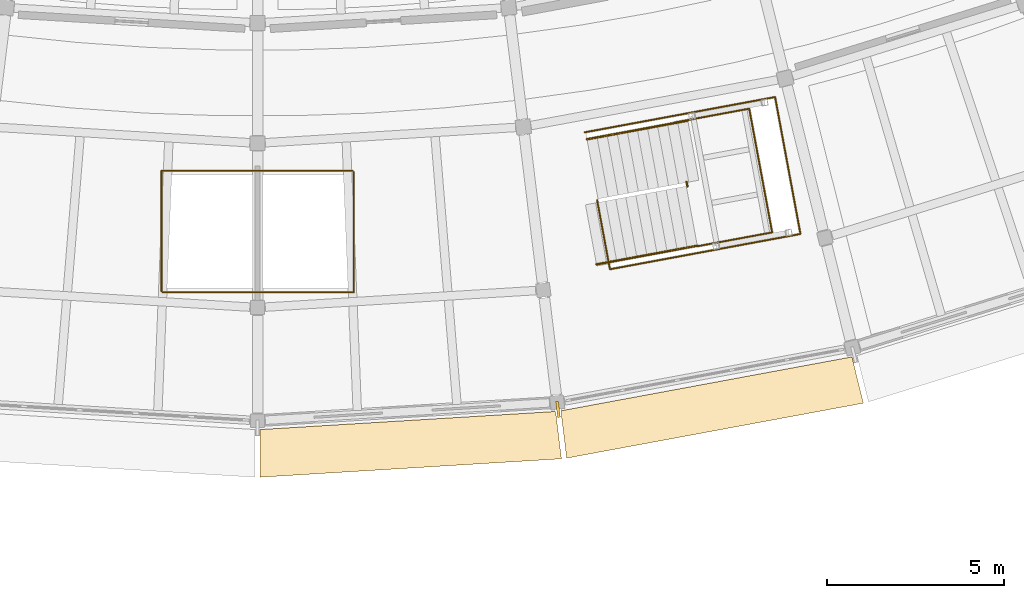
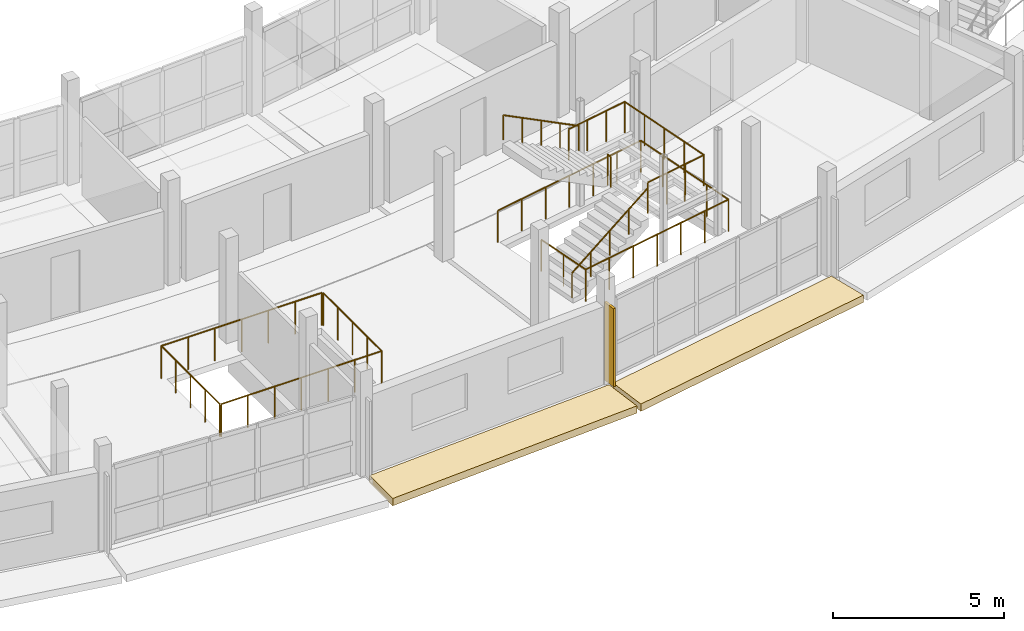
# One storey, part 70 of 77: 7 railings, 2 coverings, 1 shading device.
"""IFC4 building model written with IfcOpenShell, lengths in metres."""

from ifc_helpers import new_model, si_unit, direction, frame, origin, origin_2d, place, context, subcontext, project, spatial, polyline, rectangle, circle, outline, extrude, material, layer, layer_set, type_object, element, save


model = new_model("IFC4")

# Units and contexts
model_context = context("Model", 3, precision=1e-05, world=origin(), true_north=direction((0.0, 1.0)))
body_context = subcontext(model_context, "Body", "Model", "MODEL_VIEW")
ifc_project = project(units=[si_unit("LENGTHUNIT", "METRE"), si_unit("AREAUNIT", "SQUARE_METRE"), si_unit("VOLUMEUNIT", "CUBIC_METRE"), si_unit("PLANEANGLEUNIT", "RADIAN"), si_unit("MASSUNIT", "GRAM", prefix="KILO")], contexts=[model_context])

# Site, building, storey
site_placement = place(None, origin())
site = spatial("IfcSite", under=ifc_project, at=site_placement, CompositionType="ELEMENT")
building_placement = place(site_placement, origin())
building = spatial("IfcBuilding", under=site, at=building_placement, Name="Caldaven Crescent School", CompositionType="ELEMENT")
storey_placement = place(building_placement, frame((0.0, 0.0, 4.419921875)))
storey = spatial("IfcBuildingStorey", under=building, at=storey_placement, Name="L01", CompositionType="ELEMENT", Elevation=4.419921875)

# Coverings
ifc_material_1 = material(Name="White architectural GFRC precast concrete C35/45 cladding", Category="concrete")
ifc_layer_1 = layer(ifc_material_1, 0.260009765625)
ifc_layer_set_1 = layer_set([ifc_layer_1], Name="White architectural GFRC precast concrete C35/45 cladding")
covering_type = type_object("IfcCoveringType", Name="COV-CLD1", PredefinedType="CLADDING", material=ifc_layer_set_1)
covering_1_placement = place(storey_placement, frame((0.0, 0.0, -0.260009765625)))
element("IfcCovering", 1, at=covering_1_placement, inside=storey, type_object=covering_type, Name="CLD-OUT-L01-018", PredefinedType="CLADDING", context=body_context, shape_type="SweptSolid", body=[
    extrude(outline(polyline([(88.072998046875, 26.199951171875), (96.433837890625, 26.71142578125), (96.59716796875, 25.371337890625), (88.074462890625, 24.85009765625), (88.072998046875, 26.199951171875)])), origin(), (0.0, 0.0, 1.0), 0.260009765625),
])
covering_2_placement = place(storey_placement, frame((0.0, 0.0, -0.260009765625)))
element("IfcCovering", 2, at=covering_2_placement, inside=storey, type_object=covering_type, Name="CLD-OUT-L01-020", PredefinedType="CLADDING", context=body_context, shape_type="SweptSolid", body=[
    extrude(outline(polyline([(96.5791015625, 26.729248046875), (104.815185546875, 28.255615234375), (105.140380859375, 26.945556640625), (96.744873046875, 25.389404296875), (96.5791015625, 26.729248046875)])), origin(), (0.0, 0.0, 1.0), 0.260009765625),
])

# Railings
ifc_material_2 = material(Name="Brushed stainless-steel continuous tubular handrail", Category="steel")
railing_type_1 = type_object("IfcRailingType", Name="RAL-HR2", PredefinedType="HANDRAIL", material=ifc_material_2)
railing_1_placement = place(storey_placement, frame((97.589111328125, 30.871826171875, 0.173095703125)))
element("IfcRailing", 3, at=railing_1_placement, inside=storey, type_object=railing_type_1, Name="HR-ST3-L01-F1", PredefinedType="HANDRAIL", context=body_context, shape_type="SweptSolid", body=[
    extrude(circle(Radius=0.02392578125, at=origin_2d()), frame((0.0, 0.0, 0.8759765625), z_axis=(0.848265297383, 0.157234106921, 0.50569103302), x_axis=(-0.18225505464, 0.98325128785, 0.0)), (0.0, 0.0, 1.0), 3.361572265625),
    extrude(circle(Radius=0.02099609375, at=origin_2d()), origin(), (0.0, 0.0, 1.0), 0.851806640625),
    extrude(circle(Radius=0.02099609375, at=origin_2d()), frame((0.712890625, 0.132080078125, 0.425048828125)), (0.0, 0.0, 1.0), 0.851806640625),
    extrude(circle(Radius=0.02099609375, at=origin_2d()), frame((1.42578125, 0.26416015625, 0.85009765625)), (0.0, 0.0, 1.0), 0.851806640625),
    extrude(circle(Radius=0.02099609375, at=origin_2d()), frame((2.138671875, 0.396484375, 1.27490234375)), (0.0, 0.0, 1.0), 0.851806640625),
    extrude(circle(Radius=0.02099609375, at=origin_2d()), frame((2.8515625, 0.528564453125, 1.699951171875)), (0.0, 0.0, 1.0), 0.851806640625),
])
railing_2_placement = place(storey_placement, frame((100.1708984375, 34.9404296875, 2.04296875)))
element("IfcRailing", 4, at=railing_2_placement, inside=storey, type_object=railing_type_1, Name="HR-ST3-L01-F2", PredefinedType="HANDRAIL", context=body_context, shape_type="SweptSolid", body=[
    extrude(circle(Radius=0.02392578125, at=origin_2d()), frame((0.0, 0.0, 0.8759765625), z_axis=(-0.848223455279, -0.157167185309, 0.50578201409), x_axis=(0.182188747239, -0.98326357625, 0.0)), (0.0, 0.0, 1.0), 3.361572265625),
    extrude(circle(Radius=0.02099609375, at=origin_2d()), origin(), (0.0, 0.0, 1.0), 0.851806640625),
    extrude(circle(Radius=0.02099609375, at=origin_2d()), frame((-0.712890625, -0.132080078125, 0.425048828125)), (0.0, 0.0, 1.0), 0.851806640625),
    extrude(circle(Radius=0.02099609375, at=origin_2d()), frame((-1.42578125, -0.26416015625, 0.85009765625)), (0.0, 0.0, 1.0), 0.851806640625),
    extrude(circle(Radius=0.02099609375, at=origin_2d()), frame((-2.138427734375, -0.396240234375, 1.275146484375)), (0.0, 0.0, 1.0), 0.851806640625),
    extrude(circle(Radius=0.02099609375, at=origin_2d()), frame((-2.851318359375, -0.5283203125, 1.7001953125)), (0.0, 0.0, 1.0), 0.851806640625),
])
ifc_material_3 = material(Name="Powder-coated tubular steel balustrade ASTM A572 Grade 50", Category="steel")
railing_type_2 = type_object("IfcRailingType", Name="RAL-INT2", PredefinedType="BALUSTRADE", material=ifc_material_3)
railing_3_placement = place(storey_placement, frame((100.443359375, 31.3857421875, 1.8701171875)))
element("IfcRailing", 5, at=railing_3_placement, inside=storey, type_object=railing_type_2, Name="GD-LND-ST3-L01", PredefinedType="BALUSTRADE", context=body_context, shape_type="SweptSolid", body=[
    extrude(circle(Radius=0.02392578125, at=origin_2d()), frame((0.0, 0.0, 1.09619140625), z_axis=(0.983272214345, 0.182142121701, 0.0), x_axis=(-0.182142121701, 0.983272214345, 0.0)), (0.0, 0.0, 1.0), 2.14990234375),
    extrude(circle(Radius=0.02392578125, at=origin_2d()), frame((2.114013671875, 0.3916015625, 1.09619140625), z_axis=(-0.182209587226, 0.983259714584, 0.0), x_axis=(-0.983259714584, -0.182209587226, 0.0)), (0.0, 0.0, 1.0), 3.56005859375),
    extrude(circle(Radius=0.02392578125, at=origin_2d()), frame((1.46533203125, 3.89208984375, 1.09619140625), z_axis=(-0.983251871482, -0.182251905962, 0.0), x_axis=(0.182251905962, -0.983251871482, 0.0)), (0.0, 0.0, 1.0), 2.14990234375),
    extrude(circle(Radius=0.02099609375, at=origin_2d()), origin(), (0.0, 0.0, 1.0), 1.072021484375),
    extrude(circle(Radius=0.02099609375, at=origin_2d()), frame((0.70458984375, 0.130615234375, 0.0)), (0.0, 0.0, 1.0), 1.072021484375),
    extrude(circle(Radius=0.02099609375, at=origin_2d()), frame((1.409423828125, 0.260986328125, 0.0)), (0.0, 0.0, 1.0), 1.072021484375),
    extrude(circle(Radius=0.02099609375, at=origin_2d()), frame((2.114013671875, 0.3916015625, 0.0)), (0.0, 0.0, 1.0), 1.072021484375),
    extrude(circle(Radius=0.02099609375, at=origin_2d()), frame((1.951904296875, 1.2666015625, 0.0)), (0.0, 0.0, 1.0), 1.072021484375),
    extrude(circle(Radius=0.02099609375, at=origin_2d()), frame((1.78955078125, 2.141845703125, 0.0)), (0.0, 0.0, 1.0), 1.072021484375),
    extrude(circle(Radius=0.02099609375, at=origin_2d()), frame((1.62744140625, 3.01708984375, 0.0)), (0.0, 0.0, 1.0), 1.072021484375),
    extrude(circle(Radius=0.02099609375, at=origin_2d()), frame((1.46533203125, 3.89208984375, 0.0)), (0.0, 0.0, 1.0), 1.072021484375),
    extrude(circle(Radius=0.02099609375, at=origin_2d()), frame((0.7607421875, 3.761474609375, 0.0)), (0.0, 0.0, 1.0), 1.072021484375),
    extrude(circle(Radius=0.02099609375, at=origin_2d()), frame((0.055908203125, 3.630859375, 0.0)), (0.0, 0.0, 1.0), 1.072021484375),
    extrude(circle(Radius=0.02099609375, at=origin_2d()), frame((-0.648681640625, 3.500244140625, 0.0)), (0.0, 0.0, 1.0), 1.072021484375),
])
railing_4_placement = place(storey_placement, frame((100.161376953125, 33.072509765625, 1.8701171875)))
element("IfcRailing", 6, at=railing_4_placement, inside=storey, type_object=railing_type_2, Name="GD-SLT-ST3-L01", PredefinedType="BALUSTRADE", context=body_context, shape_type="SweptSolid", body=[
    extrude(circle(Radius=0.02392578125, at=origin_2d()), frame((0.0, 0.0, 1.09619140625), z_axis=(-0.183025457922, 0.983108173983, 0.0), x_axis=(-0.983108173983, -0.183025457922, 0.0)), (0.0, 0.0, 1.0), 0.14013671875),
    extrude(circle(Radius=0.02099609375, at=origin_2d()), origin(), (0.0, 0.0, 1.0), 1.072021484375),
    extrude(circle(Radius=0.02099609375, at=origin_2d()), frame((-0.025634765625, 0.1376953125, 0.0)), (0.0, 0.0, 1.0), 1.072021484375),
])
railing_type_3 = type_object("IfcRailingType", Name="RAL-INT3", PredefinedType="BALUSTRADE", material=ifc_material_3)
railing_5_placement = place(storey_placement, frame((97.606201171875, 32.6904296875, 0.0)))
element("IfcRailing", 7, at=railing_5_placement, inside=storey, type_object=railing_type_3, Name="GD-WELL-ST3-L01", PredefinedType="BALUSTRADE", context=body_context, shape_type="SweptSolid", body=[
    extrude(circle(Radius=0.02392578125, at=origin_2d()), frame((0.0, 0.0, 1.1259765625), z_axis=(0.182199096939, -0.983261658499, 0.0), x_axis=(0.983261658499, 0.182199096939, 0.0)), (0.0, 0.0, 1.0), 1.98974609375),
    extrude(circle(Radius=0.02392578125, at=origin_2d()), frame((0.362548828125, -1.95654296875, 1.1259765625), z_axis=(0.983254232717, 0.182239166604, 0.0), x_axis=(-0.182239166604, 0.983254232717, 0.0)), (0.0, 0.0, 1.0), 5.48193359375),
    extrude(circle(Radius=0.02392578125, at=origin_2d()), frame((5.752685546875, -0.95751953125, 1.1259765625), z_axis=(-0.182249027733, 0.983252404976, 0.0), x_axis=(-0.983252404976, -0.182249027733, 0.0)), (0.0, 0.0, 1.0), 3.939697265625),
    extrude(circle(Radius=0.02392578125, at=origin_2d()), frame((5.03466796875, 2.916259765625, 1.1259765625), z_axis=(-0.983262212036, -0.182196109677, 0.0), x_axis=(0.182196109677, -0.983262212036, 0.0)), (0.0, 0.0, 1.0), 5.48193359375),
    extrude(circle(Radius=0.02099609375, at=origin_2d()), origin(), (0.0, 0.0, 1.0), 1.101806640625),
    extrude(circle(Radius=0.02099609375, at=origin_2d()), frame((0.18115234375, -0.978271484375, 0.0)), (0.0, 0.0, 1.0), 1.101806640625),
    extrude(circle(Radius=0.02099609375, at=origin_2d()), frame((0.362548828125, -1.95654296875, 0.0)), (0.0, 0.0, 1.0), 1.101806640625),
    extrude(circle(Radius=0.02099609375, at=origin_2d()), frame((1.260986328125, -1.7900390625, 0.0)), (0.0, 0.0, 1.0), 1.101806640625),
    extrude(circle(Radius=0.02099609375, at=origin_2d()), frame((2.1591796875, -1.62353515625, 0.0)), (0.0, 0.0, 1.0), 1.101806640625),
    extrude(circle(Radius=0.02099609375, at=origin_2d()), frame((3.0576171875, -1.45703125, 0.0)), (0.0, 0.0, 1.0), 1.101806640625),
    extrude(circle(Radius=0.02099609375, at=origin_2d()), frame((3.9560546875, -1.29052734375, 0.0)), (0.0, 0.0, 1.0), 1.101806640625),
    extrude(circle(Radius=0.02099609375, at=origin_2d()), frame((4.854248046875, -1.1240234375, 0.0)), (0.0, 0.0, 1.0), 1.101806640625),
    extrude(circle(Radius=0.02099609375, at=origin_2d()), frame((5.752685546875, -0.95751953125, 0.0)), (0.0, 0.0, 1.0), 1.101806640625),
    extrude(circle(Radius=0.02099609375, at=origin_2d()), frame((5.5732421875, 0.010986328125, 0.0)), (0.0, 0.0, 1.0), 1.101806640625),
    extrude(circle(Radius=0.02099609375, at=origin_2d()), frame((5.3935546875, 0.9794921875, 0.0)), (0.0, 0.0, 1.0), 1.101806640625),
    extrude(circle(Radius=0.02099609375, at=origin_2d()), frame((5.214111328125, 1.94775390625, 0.0)), (0.0, 0.0, 1.0), 1.101806640625),
    extrude(circle(Radius=0.02099609375, at=origin_2d()), frame((5.03466796875, 2.916259765625, 0.0)), (0.0, 0.0, 1.0), 1.101806640625),
    extrude(circle(Radius=0.02099609375, at=origin_2d()), frame((4.13623046875, 2.749755859375, 0.0)), (0.0, 0.0, 1.0), 1.101806640625),
    extrude(circle(Radius=0.02099609375, at=origin_2d()), frame((3.238037109375, 2.583251953125, 0.0)), (0.0, 0.0, 1.0), 1.101806640625),
    extrude(circle(Radius=0.02099609375, at=origin_2d()), frame((2.339599609375, 2.4169921875, 0.0)), (0.0, 0.0, 1.0), 1.101806640625),
    extrude(circle(Radius=0.02099609375, at=origin_2d()), frame((1.441162109375, 2.25048828125, 0.0)), (0.0, 0.0, 1.0), 1.101806640625),
    extrude(circle(Radius=0.02099609375, at=origin_2d()), frame((0.54296875, 2.083984375, 0.0)), (0.0, 0.0, 1.0), 1.101806640625),
    extrude(circle(Radius=0.02099609375, at=origin_2d()), frame((-0.35546875, 1.91748046875, 0.0)), (0.0, 0.0, 1.0), 1.101806640625),
])
railing_type_4 = type_object("IfcRailingType", Name="RAL-INT4", PredefinedType="BALUSTRADE", material=ifc_material_3)
railing_6_placement = place(storey_placement, frame((85.31005859375, 30.080078125, 0.0)))
element("IfcRailing", 8, at=railing_6_placement, inside=storey, type_object=railing_type_4, Name="GD-ATR-V5-L01-A", PredefinedType="BALUSTRADE", context=body_context, shape_type="SweptSolid", body=[
    extrude(circle(Radius=0.02392578125, at=origin_2d()), frame((0.0, 0.0, 1.15576171875), z_axis=(1.0, 0.0, 0.0), x_axis=(0.0, 1.0, 0.0)), (0.0, 0.0, 1.0), 5.409912109375),
    extrude(circle(Radius=0.02392578125, at=origin_2d()), frame((5.409912109375, 0.0, 1.15576171875), z_axis=(0.0, 1.0, 0.0), x_axis=(-1.0, 0.0, 0.0)), (0.0, 0.0, 1.0), 3.409912109375),
    extrude(circle(Radius=0.02099609375, at=origin_2d()), origin(), (0.0, 0.0, 1.0), 1.1318359375),
    extrude(circle(Radius=0.02099609375, at=origin_2d()), frame((0.901611328125, 0.0, 0.0)), (0.0, 0.0, 1.0), 1.1318359375),
    extrude(circle(Radius=0.02099609375, at=origin_2d()), frame((1.80322265625, 0.0, 0.0)), (0.0, 0.0, 1.0), 1.1318359375),
    extrude(circle(Radius=0.02099609375, at=origin_2d()), frame((2.705078125, 0.0, 0.0)), (0.0, 0.0, 1.0), 1.1318359375),
    extrude(circle(Radius=0.02099609375, at=origin_2d()), frame((3.606689453125, 0.0, 0.0)), (0.0, 0.0, 1.0), 1.1318359375),
    extrude(circle(Radius=0.02099609375, at=origin_2d()), frame((4.50830078125, 0.0, 0.0)), (0.0, 0.0, 1.0), 1.1318359375),
    extrude(circle(Radius=0.02099609375, at=origin_2d()), frame((5.409912109375, 0.0, 0.0)), (0.0, 0.0, 1.0), 1.1318359375),
    extrude(circle(Radius=0.02099609375, at=origin_2d()), frame((5.409912109375, 0.8525390625, 0.0)), (0.0, 0.0, 1.0), 1.1318359375),
    extrude(circle(Radius=0.02099609375, at=origin_2d()), frame((5.409912109375, 1.705078125, 0.0)), (0.0, 0.0, 1.0), 1.1318359375),
    extrude(circle(Radius=0.02099609375, at=origin_2d()), frame((5.409912109375, 2.557373046875, 0.0)), (0.0, 0.0, 1.0), 1.1318359375),
    extrude(circle(Radius=0.02099609375, at=origin_2d()), frame((5.409912109375, 3.409912109375, 0.0)), (0.0, 0.0, 1.0), 1.1318359375),
])
railing_7_placement = place(storey_placement, frame((90.68994140625, 33.52001953125, 0.0)))
element("IfcRailing", 9, at=railing_7_placement, inside=storey, type_object=railing_type_4, Name="GD-ATR-V5-L01-B", PredefinedType="BALUSTRADE", context=body_context, shape_type="SweptSolid", body=[
    extrude(circle(Radius=0.02392578125, at=origin_2d()), frame((0.0, 0.0, 1.15576171875), z_axis=(-1.0, 0.0, 0.0), x_axis=(0.0, -1.0, 0.0)), (0.0, 0.0, 1.0), 5.409912109375),
    extrude(circle(Radius=0.02392578125, at=origin_2d()), frame((-5.409912109375, 0.0, 1.15576171875), z_axis=(0.0, -1.0, 0.0), x_axis=(1.0, 0.0, 0.0)), (0.0, 0.0, 1.0), 3.409912109375),
    extrude(circle(Radius=0.02099609375, at=origin_2d()), origin(), (0.0, 0.0, 1.0), 1.1318359375),
    extrude(circle(Radius=0.02099609375, at=origin_2d()), frame((-0.901611328125, 0.0, 0.0)), (0.0, 0.0, 1.0), 1.1318359375),
    extrude(circle(Radius=0.02099609375, at=origin_2d()), frame((-1.80322265625, 0.0, 0.0)), (0.0, 0.0, 1.0), 1.1318359375),
    extrude(circle(Radius=0.02099609375, at=origin_2d()), frame((-2.705078125, 0.0, 0.0)), (0.0, 0.0, 1.0), 1.1318359375),
    extrude(circle(Radius=0.02099609375, at=origin_2d()), frame((-3.606689453125, 0.0, 0.0)), (0.0, 0.0, 1.0), 1.1318359375),
    extrude(circle(Radius=0.02099609375, at=origin_2d()), frame((-4.50830078125, 0.0, 0.0)), (0.0, 0.0, 1.0), 1.1318359375),
    extrude(circle(Radius=0.02099609375, at=origin_2d()), frame((-5.409912109375, 0.0, 0.0)), (0.0, 0.0, 1.0), 1.1318359375),
    extrude(circle(Radius=0.02099609375, at=origin_2d()), frame((-5.409912109375, -0.8525390625, 0.0)), (0.0, 0.0, 1.0), 1.1318359375),
    extrude(circle(Radius=0.02099609375, at=origin_2d()), frame((-5.409912109375, -1.705078125, 0.0)), (0.0, 0.0, 1.0), 1.1318359375),
    extrude(circle(Radius=0.02099609375, at=origin_2d()), frame((-5.409912109375, -2.557373046875, 0.0)), (0.0, 0.0, 1.0), 1.1318359375),
    extrude(circle(Radius=0.02099609375, at=origin_2d()), frame((-5.409912109375, -3.409912109375, 0.0)), (0.0, 0.0, 1.0), 1.1318359375),
])

# Shading device
ifc_material_4 = material(Name="Bronze-anodised aluminium AA 6063-T6 sunshade", Category="aluminium")
ifc_layer_2 = layer(ifc_material_4, 0.080078125)
ifc_layer_set_2 = layer_set([ifc_layer_2], Name="Bronze-anodised aluminium AA 6063-T6 sunshade")
shading_device_type = type_object("IfcShadingDeviceType", Name="SHD-S04", PredefinedType="JALOUSIE", material=ifc_layer_set_2)
shading_device_placement = place(storey_placement, frame((96.50048828125, 26.77001953125, 0.0), z_axis=(0.0, 0.0, 1.0), x_axis=(0.121869343405, -0.992546151641, 0.0)))
element("IfcShadingDevice", 10, at=shading_device_placement, inside=storey, type_object=shading_device_type, Name="SHD-FIN-L01-015", PredefinedType="JALOUSIE", context=body_context, shape_type="SweptSolid", body=[
    extrude(rectangle(XDim=0.449951171875, YDim=0.080078125, at=origin_2d()), origin(), (0.0, 0.0, 1.0), 2.780029296875),
])

save(model, "model.ifc")
